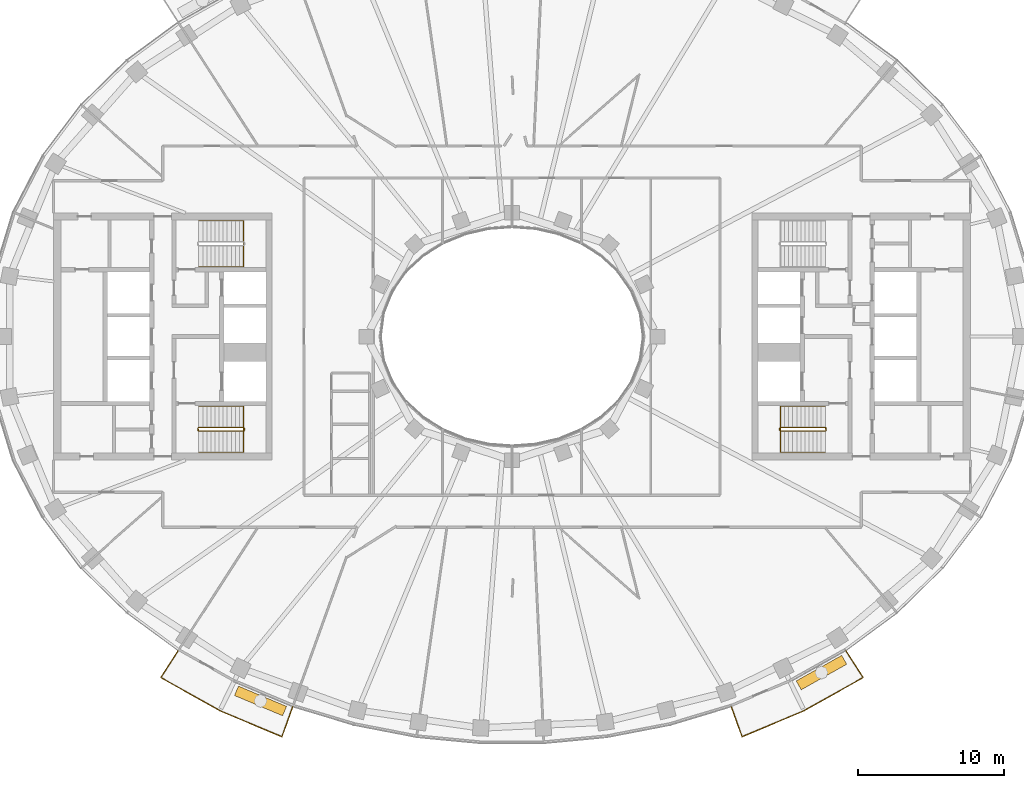
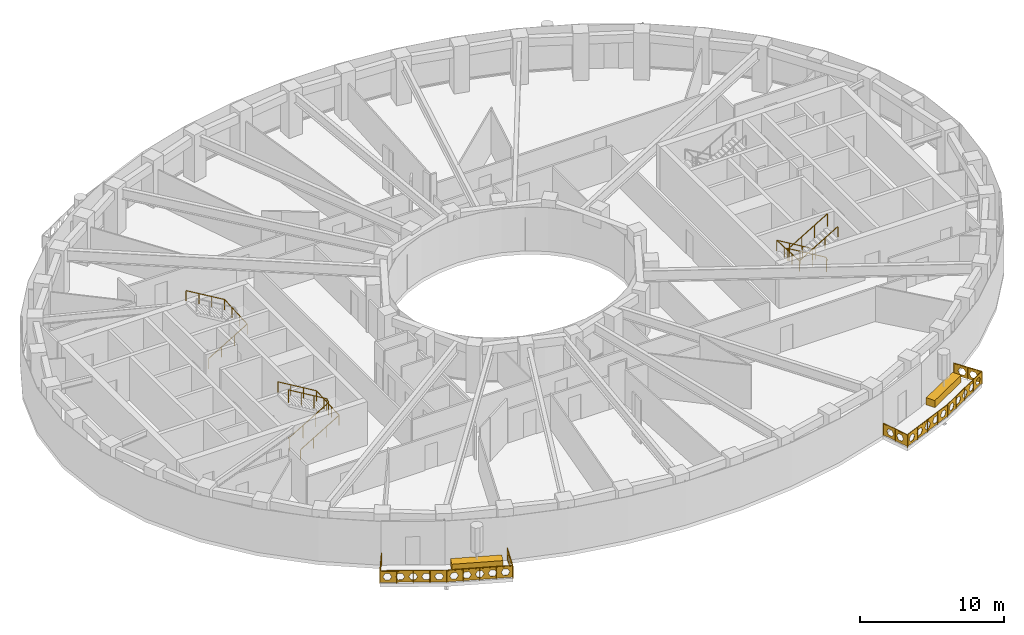
# One storey, part 13 of 15: 7 railings, 2 coverings.
"""IFC4 building model written with IfcOpenShell, lengths in metres."""

from ifc_helpers import new_model, si_unit, direction, frame, origin, origin_2d, place, context, subcontext, project, spatial, polyline, rectangle, outline, extrude, material, type_object, element, save


model = new_model("IFC4")

# Units and contexts
model_context = context("Model", 3, precision=1e-05, world=origin(), true_north=direction((0.0, 1.0)))
body_context = subcontext(model_context, "Body", "Model", "MODEL_VIEW")
ifc_project = project(units=[si_unit("LENGTHUNIT", "METRE"), si_unit("AREAUNIT", "SQUARE_METRE"), si_unit("VOLUMEUNIT", "CUBIC_METRE"), si_unit("PLANEANGLEUNIT", "RADIAN"), si_unit("MASSUNIT", "GRAM", prefix="KILO")], contexts=[model_context])

# Site, building, storey
site_placement = place(None, origin())
site = spatial("IfcSite", under=ifc_project, at=site_placement, CompositionType="ELEMENT")
building_placement = place(site_placement, origin())
building = spatial("IfcBuilding", under=site, at=building_placement, Name="Noorbagh Ring Tower", CompositionType="ELEMENT")
storey_placement = place(building_placement, frame((0.0, 0.0, 241.5)))
storey = spatial("IfcBuildingStorey", under=building, at=storey_placement, Name="L50", CompositionType="ELEMENT", Elevation=241.5)

# Railings
ifc_material_1 = material(Name="Stainless steel", Category="steel")
railing_type_1 = type_object("IfcRailingType", Name="CORE-STAIR-GUARD", PredefinedType="GUARDRAIL", material=ifc_material_1)
railing_1_placement = place(storey_placement, frame((-21.580078125, -6.449951171875, 0.0)))
element("IfcRailing", 1, at=railing_1_placement, inside=storey, type_object=railing_type_1, Name="L50 ST2 stair guard", PredefinedType="GUARDRAIL", context=body_context, shape_type="SweptSolid", body=[
    extrude(rectangle(XDim=0.048095703125, YDim=0.048095703125, at=origin_2d()), frame((0.0, 0.0, 1.076171875), z_axis=(0.0, 1.0, 0.0), x_axis=(-1.0, 0.0, 0.0)), (0.0, 0.0, 1.0), 0.14990234375),
    extrude(rectangle(XDim=0.048095703125, YDim=0.048095703125, at=origin_2d()), frame((0.0, 0.14990234375, 1.076171875), z_axis=(0.188775798145, -0.754182335027, 0.628945707965), x_axis=(0.970072785993, 0.242814311512, 0.0)), (0.0, 0.0, 1.0), 0.26513671875),
    extrude(rectangle(XDim=0.048095703125, YDim=0.048095703125, at=origin_2d()), frame((0.050048828125, -0.050048828125, 1.24267578125), z_axis=(0.859308565015, 0.0, 0.511457515432), x_axis=(0.0, 1.0, 0.0)), (0.0, 0.0, 1.0), 3.58447265625),
    extrude(rectangle(XDim=0.048095703125, YDim=0.048095703125, at=origin_2d()), frame((3.130126953125, -0.050048828125, 3.076171875), z_axis=(0.707106781187, 0.707106781187, 0.0), x_axis=(-0.707106781187, 0.707106781187, 0.0)), (0.0, 0.0, 1.0), 0.07080078125),
    extrude(rectangle(XDim=0.048095703125, YDim=0.048095703125, at=origin_2d()), frame((3.18017578125, 0.0, 3.076171875), z_axis=(0.0, 1.0, 0.0), x_axis=(-1.0, 0.0, 0.0)), (0.0, 0.0, 1.0), 0.14990234375),
    extrude(rectangle(XDim=0.048095703125, YDim=0.048095703125, at=origin_2d()), frame((3.18017578125, 0.14990234375, 3.076171875), z_axis=(-0.27628659633, 0.27628659633, 0.920506074601), x_axis=(-0.707106781187, -0.707106781187, 0.0)), (0.0, 0.0, 1.0), 0.18115234375),
    extrude(rectangle(XDim=0.048095703125, YDim=0.048095703125, at=origin_2d()), frame((3.130126953125, 0.199951171875, 3.24267578125), z_axis=(-0.859308565015, 0.0, 0.511457515432), x_axis=(0.0, -1.0, 0.0)), (0.0, 0.0, 1.0), 3.58447265625),
    extrude(rectangle(XDim=0.0419921875, YDim=0.0419921875, at=origin_2d()), origin(), (0.0, 0.0, 1.0), 1.052001953125),
    extrude(rectangle(XDim=0.0419921875, YDim=0.0419921875, at=origin_2d()), frame((1.07666015625, -0.050048828125, 0.77783203125)), (0.0, 0.0, 1.0), 1.052001953125),
    extrude(rectangle(XDim=0.0419921875, YDim=0.0419921875, at=origin_2d()), frame((2.103515625, -0.050048828125, 1.388916015625)), (0.0, 0.0, 1.0), 1.052001953125),
    extrude(rectangle(XDim=0.0419921875, YDim=0.0419921875, at=origin_2d()), frame((3.130126953125, -0.050048828125, 2.0)), (0.0, 0.0, 1.0), 1.052001953125),
    extrude(rectangle(XDim=0.0419921875, YDim=0.0419921875, at=origin_2d()), frame((3.130126953125, 0.199951171875, 2.166748046875)), (0.0, 0.0, 1.0), 1.052001953125),
    extrude(rectangle(XDim=0.0419921875, YDim=0.0419921875, at=origin_2d()), frame((2.103515625, 0.199951171875, 2.77783203125)), (0.0, 0.0, 1.0), 1.052001953125),
    extrude(rectangle(XDim=0.0419921875, YDim=0.0419921875, at=origin_2d()), frame((1.07666015625, 0.199951171875, 3.388916015625)), (0.0, 0.0, 1.0), 1.052001953125),
    extrude(rectangle(XDim=0.0419921875, YDim=0.0419921875, at=origin_2d()), frame((0.050048828125, 0.199951171875, 4.0)), (0.0, 0.0, 1.0), 1.052001953125),
])
railing_2_placement = place(storey_placement, frame((21.580078125, -6.300048828125, 0.0)))
element("IfcRailing", 2, at=railing_2_placement, inside=storey, type_object=railing_type_1, Name="L50 ST4 stair guard", PredefinedType="GUARDRAIL", context=body_context, shape_type="SweptSolid", body=[
    extrude(rectangle(XDim=0.048095703125, YDim=0.048095703125, at=origin_2d()), frame((0.0, 0.0, 1.076171875), z_axis=(0.0, -1.0, 0.0), x_axis=(1.0, 0.0, 0.0)), (0.0, 0.0, 1.0), 0.14990234375),
    extrude(rectangle(XDim=0.048095703125, YDim=0.048095703125, at=origin_2d()), frame((0.0, -0.14990234375, 1.076171875), z_axis=(-0.188775798145, 0.754182335027, 0.628945707965), x_axis=(-0.970072785993, -0.242814311512, 0.0)), (0.0, 0.0, 1.0), 0.26513671875),
    extrude(rectangle(XDim=0.048095703125, YDim=0.048095703125, at=origin_2d()), frame((-0.050048828125, 0.050048828125, 1.24267578125), z_axis=(-0.859308565015, 0.0, 0.511457515432), x_axis=(0.0, -1.0, 0.0)), (0.0, 0.0, 1.0), 3.58447265625),
    extrude(rectangle(XDim=0.048095703125, YDim=0.048095703125, at=origin_2d()), frame((-3.130126953125, 0.050048828125, 3.076171875), z_axis=(-0.707106781187, -0.707106781187, 0.0), x_axis=(0.707106781187, -0.707106781187, 0.0)), (0.0, 0.0, 1.0), 0.07080078125),
    extrude(rectangle(XDim=0.048095703125, YDim=0.048095703125, at=origin_2d()), frame((-3.18017578125, 0.0, 3.076171875), z_axis=(0.0, -1.0, 0.0), x_axis=(1.0, 0.0, 0.0)), (0.0, 0.0, 1.0), 0.14990234375),
    extrude(rectangle(XDim=0.048095703125, YDim=0.048095703125, at=origin_2d()), frame((-3.18017578125, -0.14990234375, 3.076171875), z_axis=(0.27628659633, -0.27628659633, 0.920506074601), x_axis=(0.707106781187, 0.707106781187, 0.0)), (0.0, 0.0, 1.0), 0.18115234375),
    extrude(rectangle(XDim=0.048095703125, YDim=0.048095703125, at=origin_2d()), frame((-3.130126953125, -0.199951171875, 3.24267578125), z_axis=(0.859308565015, 0.0, 0.511457515432), x_axis=(0.0, 1.0, 0.0)), (0.0, 0.0, 1.0), 3.58447265625),
    extrude(rectangle(XDim=0.0419921875, YDim=0.0419921875, at=origin_2d()), origin(), (0.0, 0.0, 1.0), 1.052001953125),
    extrude(rectangle(XDim=0.0419921875, YDim=0.0419921875, at=origin_2d()), frame((-1.07666015625, 0.050048828125, 0.77783203125)), (0.0, 0.0, 1.0), 1.052001953125),
    extrude(rectangle(XDim=0.0419921875, YDim=0.0419921875, at=origin_2d()), frame((-2.103515625, 0.050048828125, 1.388916015625)), (0.0, 0.0, 1.0), 1.052001953125),
    extrude(rectangle(XDim=0.0419921875, YDim=0.0419921875, at=origin_2d()), frame((-3.130126953125, 0.050048828125, 2.0)), (0.0, 0.0, 1.0), 1.052001953125),
    extrude(rectangle(XDim=0.0419921875, YDim=0.0419921875, at=origin_2d()), frame((-3.130126953125, -0.199951171875, 2.166748046875)), (0.0, 0.0, 1.0), 1.052001953125),
    extrude(rectangle(XDim=0.0419921875, YDim=0.0419921875, at=origin_2d()), frame((-2.103515625, -0.199951171875, 2.77783203125)), (0.0, 0.0, 1.0), 1.052001953125),
    extrude(rectangle(XDim=0.0419921875, YDim=0.0419921875, at=origin_2d()), frame((-1.07666015625, -0.199951171875, 3.388916015625)), (0.0, 0.0, 1.0), 1.052001953125),
    extrude(rectangle(XDim=0.0419921875, YDim=0.0419921875, at=origin_2d()), frame((-0.050048828125, -0.199951171875, 4.0)), (0.0, 0.0, 1.0), 1.052001953125),
])
ifc_material_2 = material(Name="Stainless steel", Category="steel")
railing_type_2 = type_object("IfcRailingType", Name="CORE-STAIR-HANDRAIL", PredefinedType="HANDRAIL", material=ifc_material_2)
railing_3_placement = place(storey_placement, frame((-21.530029296875, 4.800048828125, 0.166748046875)))
element("IfcRailing", 3, at=railing_3_placement, inside=storey, type_object=railing_type_2, Name="L50 ST1 stair handrail", PredefinedType="HANDRAIL", context=body_context, shape_type="SweptSolid", body=[
    extrude(rectangle(XDim=0.048095703125, YDim=0.048095703125, at=origin_2d()), frame((0.0, 0.0, 0.8759765625), z_axis=(0.859308565015, 0.0, 0.511457515432), x_axis=(0.0, 1.0, 0.0)), (0.0, 0.0, 1.0), 3.58447265625),
    extrude(rectangle(XDim=0.048095703125, YDim=0.048095703125, at=origin_2d()), frame((3.080078125, 0.0, 2.708984375), z_axis=(0.0, 0.998601747152, 0.052863509014), x_axis=(-1.0, 0.0, 0.0)), (0.0, 0.0, 1.0), 3.154296875),
    extrude(rectangle(XDim=0.048095703125, YDim=0.048095703125, at=origin_2d()), frame((3.080078125, 3.14990234375, 2.8759765625), z_axis=(-0.859308565015, 0.0, 0.511457515432), x_axis=(0.0, -1.0, 0.0)), (0.0, 0.0, 1.0), 3.58447265625),
    extrude(rectangle(XDim=0.0419921875, YDim=0.0419921875, at=origin_2d()), origin(), (0.0, 0.0, 1.0), 0.851806640625),
    extrude(rectangle(XDim=0.0419921875, YDim=0.0419921875, at=origin_2d()), frame((1.026611328125, 0.0, 0.611083984375)), (0.0, 0.0, 1.0), 0.851806640625),
    extrude(rectangle(XDim=0.0419921875, YDim=0.0419921875, at=origin_2d()), frame((2.053466796875, 0.0, 1.22216796875)), (0.0, 0.0, 1.0), 0.851806640625),
    extrude(rectangle(XDim=0.0419921875, YDim=0.0419921875, at=origin_2d()), frame((3.080078125, 0.0, 1.833251953125)), (0.0, 0.0, 1.0), 0.851806640625),
    extrude(rectangle(XDim=0.0419921875, YDim=0.0419921875, at=origin_2d()), frame((3.080078125, 1.050048828125, 1.888916015625)), (0.0, 0.0, 1.0), 0.851806640625),
    extrude(rectangle(XDim=0.0419921875, YDim=0.0419921875, at=origin_2d()), frame((3.080078125, 2.099853515625, 1.9443359375)), (0.0, 0.0, 1.0), 0.851806640625),
    extrude(rectangle(XDim=0.0419921875, YDim=0.0419921875, at=origin_2d()), frame((3.080078125, 3.14990234375, 2.0)), (0.0, 0.0, 1.0), 0.851806640625),
    extrude(rectangle(XDim=0.0419921875, YDim=0.0419921875, at=origin_2d()), frame((2.053466796875, 3.14990234375, 2.611083984375)), (0.0, 0.0, 1.0), 0.851806640625),
    extrude(rectangle(XDim=0.0419921875, YDim=0.0419921875, at=origin_2d()), frame((1.026611328125, 3.14990234375, 3.22216796875)), (0.0, 0.0, 1.0), 0.851806640625),
    extrude(rectangle(XDim=0.0419921875, YDim=0.0419921875, at=origin_2d()), frame((0.0, 3.14990234375, 3.833251953125)), (0.0, 0.0, 1.0), 0.851806640625),
])
railing_4_placement = place(storey_placement, frame((-21.530029296875, -7.949951171875, 0.166748046875)))
element("IfcRailing", 4, at=railing_4_placement, inside=storey, type_object=railing_type_2, Name="L50 ST2 stair handrail", PredefinedType="HANDRAIL", context=body_context, shape_type="SweptSolid", body=[
    extrude(rectangle(XDim=0.048095703125, YDim=0.048095703125, at=origin_2d()), frame((0.0, 0.0, 0.8759765625), z_axis=(0.859308565015, 0.0, 0.511457515432), x_axis=(0.0, 1.0, 0.0)), (0.0, 0.0, 1.0), 3.58447265625),
    extrude(rectangle(XDim=0.048095703125, YDim=0.048095703125, at=origin_2d()), frame((3.080078125, 0.0, 2.708984375), z_axis=(0.0, 0.998601747152, 0.052863509014), x_axis=(-1.0, 0.0, 0.0)), (0.0, 0.0, 1.0), 3.154296875),
    extrude(rectangle(XDim=0.048095703125, YDim=0.048095703125, at=origin_2d()), frame((3.080078125, 3.14990234375, 2.8759765625), z_axis=(-0.859308565015, 0.0, 0.511457515432), x_axis=(0.0, -1.0, 0.0)), (0.0, 0.0, 1.0), 3.58447265625),
    extrude(rectangle(XDim=0.0419921875, YDim=0.0419921875, at=origin_2d()), origin(), (0.0, 0.0, 1.0), 0.851806640625),
    extrude(rectangle(XDim=0.0419921875, YDim=0.0419921875, at=origin_2d()), frame((1.026611328125, 0.0, 0.611083984375)), (0.0, 0.0, 1.0), 0.851806640625),
    extrude(rectangle(XDim=0.0419921875, YDim=0.0419921875, at=origin_2d()), frame((2.053466796875, 0.0, 1.22216796875)), (0.0, 0.0, 1.0), 0.851806640625),
    extrude(rectangle(XDim=0.0419921875, YDim=0.0419921875, at=origin_2d()), frame((3.080078125, 0.0, 1.833251953125)), (0.0, 0.0, 1.0), 0.851806640625),
    extrude(rectangle(XDim=0.0419921875, YDim=0.0419921875, at=origin_2d()), frame((3.080078125, 1.050048828125, 1.888916015625)), (0.0, 0.0, 1.0), 0.851806640625),
    extrude(rectangle(XDim=0.0419921875, YDim=0.0419921875, at=origin_2d()), frame((3.080078125, 2.099853515625, 1.9443359375)), (0.0, 0.0, 1.0), 0.851806640625),
    extrude(rectangle(XDim=0.0419921875, YDim=0.0419921875, at=origin_2d()), frame((3.080078125, 3.14990234375, 2.0)), (0.0, 0.0, 1.0), 0.851806640625),
    extrude(rectangle(XDim=0.0419921875, YDim=0.0419921875, at=origin_2d()), frame((2.053466796875, 3.14990234375, 2.611083984375)), (0.0, 0.0, 1.0), 0.851806640625),
    extrude(rectangle(XDim=0.0419921875, YDim=0.0419921875, at=origin_2d()), frame((1.026611328125, 3.14990234375, 3.22216796875)), (0.0, 0.0, 1.0), 0.851806640625),
    extrude(rectangle(XDim=0.0419921875, YDim=0.0419921875, at=origin_2d()), frame((0.0, 3.14990234375, 3.833251953125)), (0.0, 0.0, 1.0), 0.851806640625),
])
railing_5_placement = place(storey_placement, frame((21.530029296875, -4.800048828125, 0.166748046875)))
element("IfcRailing", 5, at=railing_5_placement, inside=storey, type_object=railing_type_2, Name="L50 ST4 stair handrail", PredefinedType="HANDRAIL", context=body_context, shape_type="SweptSolid", body=[
    extrude(rectangle(XDim=0.048095703125, YDim=0.048095703125, at=origin_2d()), frame((0.0, 0.0, 0.8759765625), z_axis=(-0.859308565015, 0.0, 0.511457515432), x_axis=(0.0, -1.0, 0.0)), (0.0, 0.0, 1.0), 3.58447265625),
    extrude(rectangle(XDim=0.048095703125, YDim=0.048095703125, at=origin_2d()), frame((-3.080078125, 0.0, 2.708984375), z_axis=(0.0, -0.998601747152, 0.052863509014), x_axis=(1.0, 0.0, 0.0)), (0.0, 0.0, 1.0), 3.154296875),
    extrude(rectangle(XDim=0.048095703125, YDim=0.048095703125, at=origin_2d()), frame((-3.080078125, -3.14990234375, 2.8759765625), z_axis=(0.859308565015, 0.0, 0.511457515432), x_axis=(0.0, 1.0, 0.0)), (0.0, 0.0, 1.0), 3.58447265625),
    extrude(rectangle(XDim=0.0419921875, YDim=0.0419921875, at=origin_2d()), origin(), (0.0, 0.0, 1.0), 0.851806640625),
    extrude(rectangle(XDim=0.0419921875, YDim=0.0419921875, at=origin_2d()), frame((-1.026611328125, 0.0, 0.611083984375)), (0.0, 0.0, 1.0), 0.851806640625),
    extrude(rectangle(XDim=0.0419921875, YDim=0.0419921875, at=origin_2d()), frame((-2.053466796875, 0.0, 1.22216796875)), (0.0, 0.0, 1.0), 0.851806640625),
    extrude(rectangle(XDim=0.0419921875, YDim=0.0419921875, at=origin_2d()), frame((-3.080078125, 0.0, 1.833251953125)), (0.0, 0.0, 1.0), 0.851806640625),
    extrude(rectangle(XDim=0.0419921875, YDim=0.0419921875, at=origin_2d()), frame((-3.080078125, -1.050048828125, 1.888916015625)), (0.0, 0.0, 1.0), 0.851806640625),
    extrude(rectangle(XDim=0.0419921875, YDim=0.0419921875, at=origin_2d()), frame((-3.080078125, -2.099853515625, 1.9443359375)), (0.0, 0.0, 1.0), 0.851806640625),
    extrude(rectangle(XDim=0.0419921875, YDim=0.0419921875, at=origin_2d()), frame((-3.080078125, -3.14990234375, 2.0)), (0.0, 0.0, 1.0), 0.851806640625),
    extrude(rectangle(XDim=0.0419921875, YDim=0.0419921875, at=origin_2d()), frame((-2.053466796875, -3.14990234375, 2.611083984375)), (0.0, 0.0, 1.0), 0.851806640625),
    extrude(rectangle(XDim=0.0419921875, YDim=0.0419921875, at=origin_2d()), frame((-1.026611328125, -3.14990234375, 3.22216796875)), (0.0, 0.0, 1.0), 0.851806640625),
    extrude(rectangle(XDim=0.0419921875, YDim=0.0419921875, at=origin_2d()), frame((0.0, -3.14990234375, 3.833251953125)), (0.0, 0.0, 1.0), 0.851806640625),
])
ifc_material_3 = material(Name="Steel S275 black powder-coated", Category="steel")
railing_type_3 = type_object("IfcRailingType", Name="ENV-GUARD", PredefinedType="GUARDRAIL", material=ifc_material_3)
railing_6_placement = place(storey_placement, frame((-22.9326171875, -21.583740234375, 0.0)))
element("IfcRailing", 6, at=railing_6_placement, inside=storey, type_object=railing_type_3, Name="Balcony guard BS02", PredefinedType="GUARDRAIL", context=body_context, shape_type="SweptSolid", body=[
    extrude(rectangle(XDim=0.048095703125, YDim=0.048095703125, at=origin_2d()), frame((0.0, 0.0, 1.076171875), z_axis=(-0.542268136821, -0.840205491406, 0.0), x_axis=(0.840205491406, -0.542268136821, 0.0)), (0.0, 0.0, 1.0), 2.204345703125),
    extrude(rectangle(XDim=0.048095703125, YDim=0.048095703125, at=origin_2d()), frame((-1.1953125, -1.85205078125, 1.076171875), z_axis=(0.872052247658, -0.489412788303, 0.0), x_axis=(0.489412788303, 0.872052247658, 0.0)), (0.0, 0.0, 1.0), 4.646240234375),
    extrude(rectangle(XDim=0.048095703125, YDim=0.048095703125, at=origin_2d()), frame((2.8564453125, -4.1259765625, 1.076171875), z_axis=(0.921809087722, -0.387644174203, 0.0), x_axis=(0.387644174203, 0.921809087722, 0.0)), (0.0, 0.0, 1.0), 4.627197265625),
    extrude(rectangle(XDim=0.048095703125, YDim=0.048095703125, at=origin_2d()), frame((7.121826171875, -5.919677734375, 1.076171875), z_axis=(0.338350546839, 0.941020141896, 0.0), x_axis=(-0.941020141896, 0.338350546839, 0.0)), (0.0, 0.0, 1.0), 2.202880859375),
    extrude(rectangle(XDim=0.0419921875, YDim=0.0419921875, at=origin_2d()), origin(), (0.0, 0.0, 1.0), 1.052001953125),
    extrude(rectangle(XDim=0.0419921875, YDim=0.0419921875, at=origin_2d()), frame((-0.59765625, -0.926025390625, 0.0)), (0.0, 0.0, 1.0), 1.052001953125),
    extrude(rectangle(XDim=0.0419921875, YDim=0.0419921875, at=origin_2d()), frame((-1.1953125, -1.85205078125, 0.0)), (0.0, 0.0, 1.0), 1.052001953125),
    extrude(rectangle(XDim=0.0419921875, YDim=0.0419921875, at=origin_2d()), frame((-0.182373046875, -2.42041015625, 0.0)), (0.0, 0.0, 1.0), 1.052001953125),
    extrude(rectangle(XDim=0.0419921875, YDim=0.0419921875, at=origin_2d()), frame((0.83056640625, -2.989013671875, 0.0)), (0.0, 0.0, 1.0), 1.052001953125),
    extrude(rectangle(XDim=0.0419921875, YDim=0.0419921875, at=origin_2d()), frame((1.843505859375, -3.5576171875, 0.0)), (0.0, 0.0, 1.0), 1.052001953125),
    extrude(rectangle(XDim=0.0419921875, YDim=0.0419921875, at=origin_2d()), frame((2.8564453125, -4.1259765625, 0.0)), (0.0, 0.0, 1.0), 1.052001953125),
    extrude(rectangle(XDim=0.0419921875, YDim=0.0419921875, at=origin_2d()), frame((3.9228515625, -4.574462890625, 0.0)), (0.0, 0.0, 1.0), 1.052001953125),
    extrude(rectangle(XDim=0.0419921875, YDim=0.0419921875, at=origin_2d()), frame((4.9892578125, -5.02294921875, 0.0)), (0.0, 0.0, 1.0), 1.052001953125),
    extrude(rectangle(XDim=0.0419921875, YDim=0.0419921875, at=origin_2d()), frame((6.055419921875, -5.47119140625, 0.0)), (0.0, 0.0, 1.0), 1.052001953125),
    extrude(rectangle(XDim=0.0419921875, YDim=0.0419921875, at=origin_2d()), frame((7.121826171875, -5.919677734375, 0.0)), (0.0, 0.0, 1.0), 1.052001953125),
    extrude(rectangle(XDim=0.0419921875, YDim=0.0419921875, at=origin_2d()), frame((7.49462890625, -4.88330078125, 0.0)), (0.0, 0.0, 1.0), 1.052001953125),
    extrude(rectangle(XDim=0.0419921875, YDim=0.0419921875, at=origin_2d()), frame((7.8671875, -3.8466796875, 0.0)), (0.0, 0.0, 1.0), 1.052001953125),
    extrude(outline(polyline([(0.0, 0.10009765625), (2.204345703125, 0.10009765625), (2.204345703125, 1.031982421875), (0.0, 1.031982421875), (0.0, 0.10009765625)]), holes=[polyline([(0.962158203125, 0.56591796875), (0.80712890625, 0.83447265625), (0.4970703125, 0.83447265625), (0.342041015625, 0.56591796875), (0.4970703125, 0.297607421875), (0.80712890625, 0.297607421875), (0.962158203125, 0.56591796875)]), polyline([(1.862060546875, 0.56591796875), (1.70703125, 0.83447265625), (1.397216796875, 0.83447265625), (1.2421875, 0.56591796875), (1.397216796875, 0.297607421875), (1.70703125, 0.297607421875), (1.862060546875, 0.56591796875)])]), frame((0.00830078125, -0.00537109375, 0.0), z_axis=(-0.840205491406, 0.542268136821, 0.0), x_axis=(-0.542268136821, -0.840205491406, 0.0)), (0.0, 0.0, 1.0), 0.02001953125),
    extrude(outline(polyline([(0.0, 0.10009765625), (4.646240234375, 0.10009765625), (4.646240234375, 1.031982421875), (0.0, 1.031982421875), (0.0, 0.10009765625)]), holes=[polyline([(0.8330078125, 0.56591796875), (0.67822265625, 0.83447265625), (0.3681640625, 0.83447265625), (0.213134765625, 0.56591796875), (0.3681640625, 0.297607421875), (0.67822265625, 0.297607421875), (0.8330078125, 0.56591796875)]), polyline([(1.733154296875, 0.56591796875), (1.578125, 0.83447265625), (1.26806640625, 0.83447265625), (1.113037109375, 0.56591796875), (1.26806640625, 0.297607421875), (1.578125, 0.297607421875), (1.733154296875, 0.56591796875)]), polyline([(2.633056640625, 0.56591796875), (2.47802734375, 0.83447265625), (2.168212890625, 0.83447265625), (2.01318359375, 0.56591796875), (2.168212890625, 0.297607421875), (2.47802734375, 0.297607421875), (2.633056640625, 0.56591796875)]), polyline([(3.533203125, 0.56591796875), (3.378173828125, 0.83447265625), (3.068115234375, 0.83447265625), (2.9130859375, 0.56591796875), (3.068115234375, 0.297607421875), (3.378173828125, 0.297607421875), (3.533203125, 0.56591796875)]), polyline([(4.43310546875, 0.56591796875), (4.278076171875, 0.83447265625), (3.968017578125, 0.83447265625), (3.813232421875, 0.56591796875), (3.968017578125, 0.297607421875), (4.278076171875, 0.297607421875), (4.43310546875, 0.56591796875)])]), frame((-1.1904296875, -1.84326171875, 0.0), z_axis=(-0.489412788303, -0.872052247658, 0.0), x_axis=(0.872052247658, -0.489412788303, 0.0)), (0.0, 0.0, 1.0), 0.02001953125),
    extrude(outline(polyline([(0.0, 0.10009765625), (4.627197265625, 0.10009765625), (4.627197265625, 1.031982421875), (0.0, 1.031982421875), (0.0, 0.10009765625)]), holes=[polyline([(0.823486328125, 0.56591796875), (0.668701171875, 0.83447265625), (0.358642578125, 0.83447265625), (0.20361328125, 0.56591796875), (0.358642578125, 0.297607421875), (0.668701171875, 0.297607421875), (0.823486328125, 0.56591796875)]), polyline([(1.7236328125, 0.56591796875), (1.568603515625, 0.83447265625), (1.258544921875, 0.83447265625), (1.103515625, 0.56591796875), (1.258544921875, 0.297607421875), (1.568603515625, 0.297607421875), (1.7236328125, 0.56591796875)]), polyline([(2.62353515625, 0.56591796875), (2.468505859375, 0.83447265625), (2.15869140625, 0.83447265625), (2.003662109375, 0.56591796875), (2.15869140625, 0.297607421875), (2.468505859375, 0.297607421875), (2.62353515625, 0.56591796875)]), polyline([(3.523681640625, 0.56591796875), (3.36865234375, 0.83447265625), (3.05859375, 0.83447265625), (2.903564453125, 0.56591796875), (3.05859375, 0.297607421875), (3.36865234375, 0.297607421875), (3.523681640625, 0.56591796875)]), polyline([(4.423583984375, 0.56591796875), (4.2685546875, 0.83447265625), (3.95849609375, 0.83447265625), (3.8037109375, 0.56591796875), (3.95849609375, 0.297607421875), (4.2685546875, 0.297607421875), (4.423583984375, 0.56591796875)])]), frame((2.8603515625, -4.11669921875, 0.0), z_axis=(-0.387644174203, -0.921809087722, 0.0), x_axis=(0.921809087722, -0.387644174203, 0.0)), (0.0, 0.0, 1.0), 0.02001953125),
    extrude(outline(polyline([(0.0, 0.10009765625), (2.202880859375, 0.10009765625), (2.202880859375, 1.031982421875), (0.0, 1.031982421875), (0.0, 0.10009765625)]), holes=[polyline([(0.96142578125, 0.56591796875), (0.806396484375, 0.83447265625), (0.49658203125, 0.83447265625), (0.341552734375, 0.56591796875), (0.49658203125, 0.297607421875), (0.806396484375, 0.297607421875), (0.96142578125, 0.56591796875)]), polyline([(1.861572265625, 0.56591796875), (1.70654296875, 0.83447265625), (1.396484375, 0.83447265625), (1.241455078125, 0.56591796875), (1.396484375, 0.297607421875), (1.70654296875, 0.297607421875), (1.861572265625, 0.56591796875)])]), frame((7.1123046875, -5.916259765625, 0.0), z_axis=(0.941020141896, -0.338350546839, 0.0), x_axis=(0.338350546839, 0.941020141896, 0.0)), (0.0, 0.0, 1.0), 0.02001953125),
])
railing_7_placement = place(storey_placement, frame((15.0654296875, -25.430419921875, 0.0)))
element("IfcRailing", 7, at=railing_7_placement, inside=storey, type_object=railing_type_3, Name="Balcony guard BS05", PredefinedType="GUARDRAIL", context=body_context, shape_type="SweptSolid", body=[
    extrude(rectangle(XDim=0.048095703125, YDim=0.048095703125, at=origin_2d()), frame((0.0, 0.0, 1.076171875), z_axis=(0.338350546839, -0.941020141896, 0.0), x_axis=(0.941020141896, 0.338350546839, 0.0)), (0.0, 0.0, 1.0), 2.202880859375),
    extrude(rectangle(XDim=0.048095703125, YDim=0.048095703125, at=origin_2d()), frame((0.745361328125, -2.072998046875, 1.076171875), z_axis=(0.921809087722, 0.387644174203, 0.0), x_axis=(-0.387644174203, 0.921809087722, 0.0)), (0.0, 0.0, 1.0), 4.627197265625),
    extrude(rectangle(XDim=0.048095703125, YDim=0.048095703125, at=origin_2d()), frame((5.0107421875, -0.279296875, 1.076171875), z_axis=(0.872052247658, 0.489412788303, 0.0), x_axis=(-0.489412788303, 0.872052247658, 0.0)), (0.0, 0.0, 1.0), 4.646240234375),
    extrude(rectangle(XDim=0.048095703125, YDim=0.048095703125, at=origin_2d()), frame((9.0625, 1.99462890625, 1.076171875), z_axis=(-0.542268136821, 0.840205491406, 0.0), x_axis=(-0.840205491406, -0.542268136821, 0.0)), (0.0, 0.0, 1.0), 2.204345703125),
    extrude(rectangle(XDim=0.0419921875, YDim=0.0419921875, at=origin_2d()), origin(), (0.0, 0.0, 1.0), 1.052001953125),
    extrude(rectangle(XDim=0.0419921875, YDim=0.0419921875, at=origin_2d()), frame((0.37255859375, -1.03662109375, 0.0)), (0.0, 0.0, 1.0), 1.052001953125),
    extrude(rectangle(XDim=0.0419921875, YDim=0.0419921875, at=origin_2d()), frame((0.745361328125, -2.072998046875, 0.0)), (0.0, 0.0, 1.0), 1.052001953125),
    extrude(rectangle(XDim=0.0419921875, YDim=0.0419921875, at=origin_2d()), frame((1.811767578125, -1.62451171875, 0.0)), (0.0, 0.0, 1.0), 1.052001953125),
    extrude(rectangle(XDim=0.0419921875, YDim=0.0419921875, at=origin_2d()), frame((2.8779296875, -1.17626953125, 0.0)), (0.0, 0.0, 1.0), 1.052001953125),
    extrude(rectangle(XDim=0.0419921875, YDim=0.0419921875, at=origin_2d()), frame((3.9443359375, -0.727783203125, 0.0)), (0.0, 0.0, 1.0), 1.052001953125),
    extrude(rectangle(XDim=0.0419921875, YDim=0.0419921875, at=origin_2d()), frame((5.0107421875, -0.279296875, 0.0)), (0.0, 0.0, 1.0), 1.052001953125),
    extrude(rectangle(XDim=0.0419921875, YDim=0.0419921875, at=origin_2d()), frame((6.023681640625, 0.2890625, 0.0)), (0.0, 0.0, 1.0), 1.052001953125),
    extrude(rectangle(XDim=0.0419921875, YDim=0.0419921875, at=origin_2d()), frame((7.03662109375, 0.857666015625, 0.0)), (0.0, 0.0, 1.0), 1.052001953125),
    extrude(rectangle(XDim=0.0419921875, YDim=0.0419921875, at=origin_2d()), frame((8.049560546875, 1.42626953125, 0.0)), (0.0, 0.0, 1.0), 1.052001953125),
    extrude(rectangle(XDim=0.0419921875, YDim=0.0419921875, at=origin_2d()), frame((9.0625, 1.99462890625, 0.0)), (0.0, 0.0, 1.0), 1.052001953125),
    extrude(rectangle(XDim=0.0419921875, YDim=0.0419921875, at=origin_2d()), frame((8.46484375, 2.920654296875, 0.0)), (0.0, 0.0, 1.0), 1.052001953125),
    extrude(rectangle(XDim=0.0419921875, YDim=0.0419921875, at=origin_2d()), frame((7.8671875, 3.8466796875, 0.0)), (0.0, 0.0, 1.0), 1.052001953125),
    extrude(outline(polyline([(0.0, 0.10009765625), (2.202880859375, 0.10009765625), (2.202880859375, 1.031982421875), (0.0, 1.031982421875), (0.0, 0.10009765625)]), holes=[polyline([(0.96142578125, 0.56591796875), (0.806396484375, 0.83447265625), (0.49658203125, 0.83447265625), (0.341552734375, 0.56591796875), (0.49658203125, 0.297607421875), (0.806396484375, 0.297607421875), (0.96142578125, 0.56591796875)]), polyline([(1.861572265625, 0.56591796875), (1.70654296875, 0.83447265625), (1.396484375, 0.83447265625), (1.241455078125, 0.56591796875), (1.396484375, 0.297607421875), (1.70654296875, 0.297607421875), (1.861572265625, 0.56591796875)])]), frame((0.009521484375, 0.00341796875, 0.0), z_axis=(-0.941020141896, -0.338350546839, 0.0), x_axis=(0.338350546839, -0.941020141896, 0.0)), (0.0, 0.0, 1.0), 0.02001953125),
    extrude(outline(polyline([(0.0, 0.10009765625), (4.627197265625, 0.10009765625), (4.627197265625, 1.031982421875), (0.0, 1.031982421875), (0.0, 0.10009765625)]), holes=[polyline([(0.823486328125, 0.56591796875), (0.668701171875, 0.83447265625), (0.358642578125, 0.83447265625), (0.20361328125, 0.56591796875), (0.358642578125, 0.297607421875), (0.668701171875, 0.297607421875), (0.823486328125, 0.56591796875)]), polyline([(1.7236328125, 0.56591796875), (1.568603515625, 0.83447265625), (1.258544921875, 0.83447265625), (1.103515625, 0.56591796875), (1.258544921875, 0.297607421875), (1.568603515625, 0.297607421875), (1.7236328125, 0.56591796875)]), polyline([(2.62353515625, 0.56591796875), (2.468505859375, 0.83447265625), (2.15869140625, 0.83447265625), (2.003662109375, 0.56591796875), (2.15869140625, 0.297607421875), (2.468505859375, 0.297607421875), (2.62353515625, 0.56591796875)]), polyline([(3.523681640625, 0.56591796875), (3.36865234375, 0.83447265625), (3.05859375, 0.83447265625), (2.903564453125, 0.56591796875), (3.05859375, 0.297607421875), (3.36865234375, 0.297607421875), (3.523681640625, 0.56591796875)]), polyline([(4.423583984375, 0.56591796875), (4.2685546875, 0.83447265625), (3.95849609375, 0.83447265625), (3.8037109375, 0.56591796875), (3.95849609375, 0.297607421875), (4.2685546875, 0.297607421875), (4.423583984375, 0.56591796875)])]), frame((0.741455078125, -2.063720703125, 0.0), z_axis=(0.387644174203, -0.921809087722, 0.0), x_axis=(0.921809087722, 0.387644174203, 0.0)), (0.0, 0.0, 1.0), 0.02001953125),
    extrude(outline(polyline([(0.0, 0.10009765625), (4.646240234375, 0.10009765625), (4.646240234375, 1.031982421875), (0.0, 1.031982421875), (0.0, 0.10009765625)]), holes=[polyline([(0.8330078125, 0.56591796875), (0.67822265625, 0.83447265625), (0.3681640625, 0.83447265625), (0.213134765625, 0.56591796875), (0.3681640625, 0.297607421875), (0.67822265625, 0.297607421875), (0.8330078125, 0.56591796875)]), polyline([(1.733154296875, 0.56591796875), (1.578125, 0.83447265625), (1.26806640625, 0.83447265625), (1.113037109375, 0.56591796875), (1.26806640625, 0.297607421875), (1.578125, 0.297607421875), (1.733154296875, 0.56591796875)]), polyline([(2.633056640625, 0.56591796875), (2.47802734375, 0.83447265625), (2.168212890625, 0.83447265625), (2.01318359375, 0.56591796875), (2.168212890625, 0.297607421875), (2.47802734375, 0.297607421875), (2.633056640625, 0.56591796875)]), polyline([(3.533203125, 0.56591796875), (3.378173828125, 0.83447265625), (3.068115234375, 0.83447265625), (2.9130859375, 0.56591796875), (3.068115234375, 0.297607421875), (3.378173828125, 0.297607421875), (3.533203125, 0.56591796875)]), polyline([(4.43310546875, 0.56591796875), (4.278076171875, 0.83447265625), (3.968017578125, 0.83447265625), (3.813232421875, 0.56591796875), (3.968017578125, 0.297607421875), (4.278076171875, 0.297607421875), (4.43310546875, 0.56591796875)])]), frame((5.005859375, -0.2705078125, 0.0), z_axis=(0.489412788303, -0.872052247658, 0.0), x_axis=(0.872052247658, 0.489412788303, 0.0)), (0.0, 0.0, 1.0), 0.02001953125),
    extrude(outline(polyline([(0.0, 0.10009765625), (2.204345703125, 0.10009765625), (2.204345703125, 1.031982421875), (0.0, 1.031982421875), (0.0, 0.10009765625)]), holes=[polyline([(0.962158203125, 0.56591796875), (0.80712890625, 0.83447265625), (0.4970703125, 0.83447265625), (0.342041015625, 0.56591796875), (0.4970703125, 0.297607421875), (0.80712890625, 0.297607421875), (0.962158203125, 0.56591796875)]), polyline([(1.862060546875, 0.56591796875), (1.70703125, 0.83447265625), (1.397216796875, 0.83447265625), (1.2421875, 0.56591796875), (1.397216796875, 0.297607421875), (1.70703125, 0.297607421875), (1.862060546875, 0.56591796875)])]), frame((9.05419921875, 1.9892578125, 0.0), z_axis=(0.840205491406, 0.542268136821, 0.0), x_axis=(-0.542268136821, 0.840205491406, 0.0)), (0.0, 0.0, 1.0), 0.02001953125),
])

# Coverings
ifc_material_4 = material(Name="Concrete C30/37 planter with soil", Category="concrete")
covering_type = type_object("IfcCoveringType", Name="ENV-PLANTER", PredefinedType="CLADDING", material=ifc_material_4)
covering_1_placement = place(storey_placement, frame((-17.280517578125, -25.041259765625, 0.0), z_axis=(0.0, 0.0, 1.0), x_axis=(0.921811566494, -0.387638279686, 0.0)))
element("IfcCovering", 8, at=covering_1_placement, inside=storey, type_object=covering_type, Name="PLANTER BS02", ObjectType="PLANTER", PredefinedType="CLADDING", context=body_context, shape_type="SweptSolid", body=[
    extrude(rectangle(XDim=3.5859375, YDim=0.699951171875, at=origin_2d()), origin(), (0.0, 0.0, 1.0), 0.60009765625),
])
covering_2_placement = place(storey_placement, frame((21.26513671875, -23.093017578125, 0.0), z_axis=(0.0, 0.0, 1.0), x_axis=(0.872044586249, 0.48942643941, 0.0)))
element("IfcCovering", 9, at=covering_2_placement, inside=storey, type_object=covering_type, Name="PLANTER BS05", ObjectType="PLANTER", PredefinedType="CLADDING", context=body_context, shape_type="SweptSolid", body=[
    extrude(rectangle(XDim=3.58544921875, YDim=0.699951171875, at=origin_2d()), origin(), (0.0, 0.0, 1.0), 0.60009765625),
])

save(model, "model.ifc")
